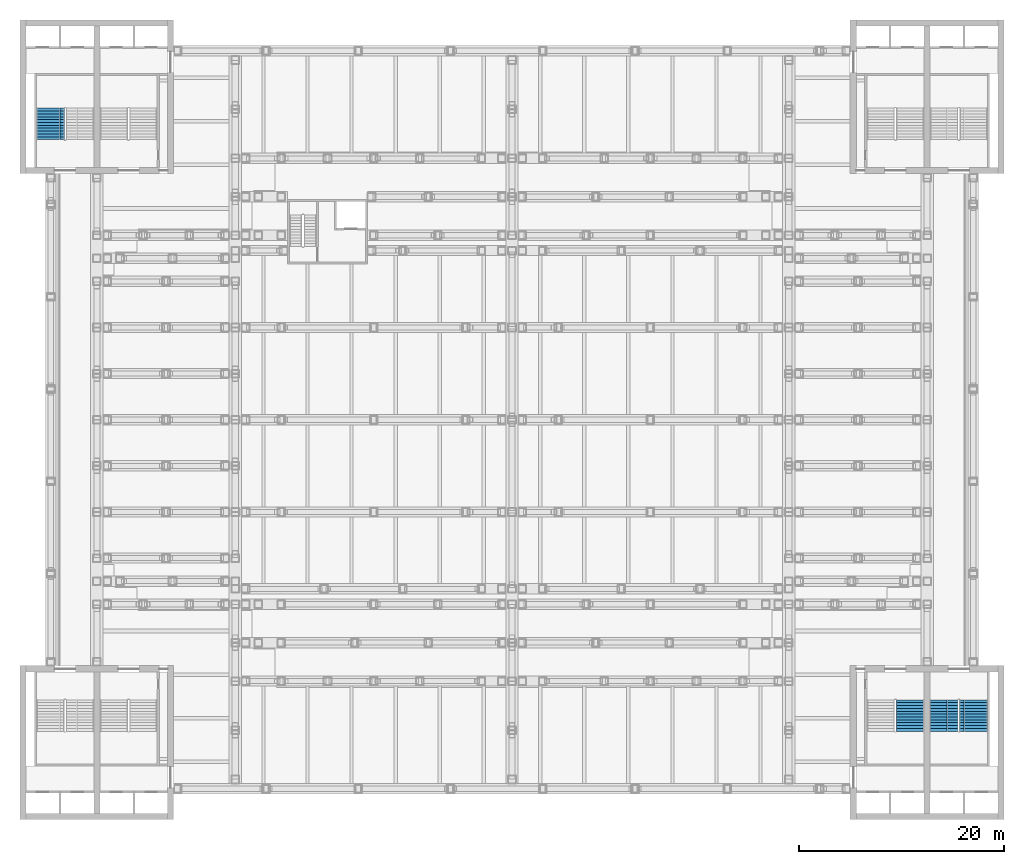
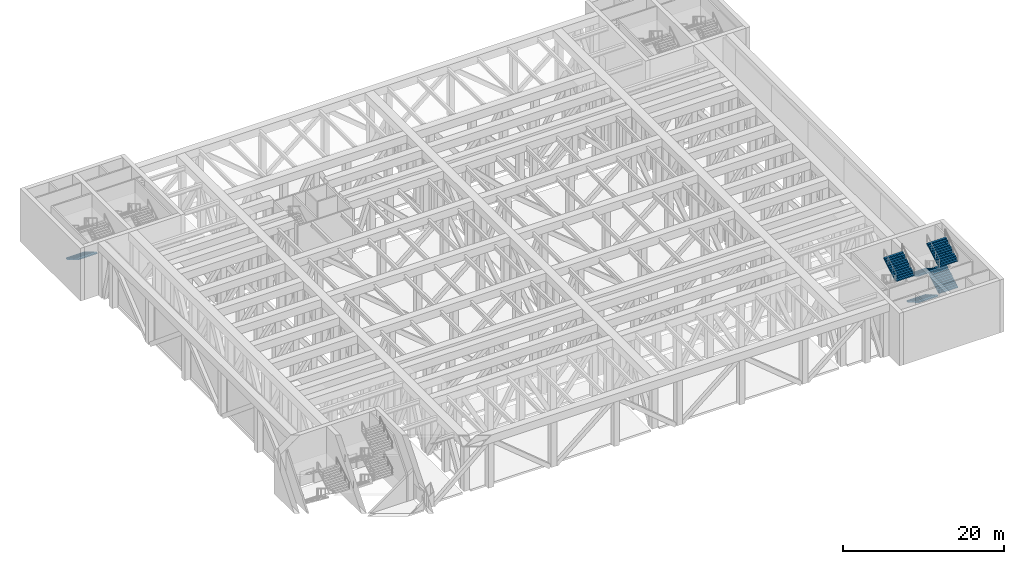
# One storey, part 14 of 20: 6 stair flights, 3 elements without a shape of their own.
"""IFC4 building model written with IfcOpenShell, lengths in metres."""

from ifc_helpers import new_model, si_unit, direction, frame, origin, place, context, subcontext, project, spatial, polyline, outline, extrude, material, type_object, element, aggregate, save


model = new_model("IFC4")

# Units and contexts
model_context = context("Model", 3, precision=1e-05, world=origin(), true_north=direction((0.0, 1.0)))
body_context = subcontext(model_context, "Body", "Model", "MODEL_VIEW")
ifc_project = project(units=[si_unit("LENGTHUNIT", "METRE"), si_unit("AREAUNIT", "SQUARE_METRE"), si_unit("VOLUMEUNIT", "CUBIC_METRE"), si_unit("PLANEANGLEUNIT", "RADIAN"), si_unit("MASSUNIT", "GRAM", prefix="KILO")], contexts=[model_context])

# Site, building, storey
site_placement = place(None, origin())
site = spatial("IfcSite", under=ifc_project, at=site_placement, CompositionType="ELEMENT")
building_placement = place(site_placement, origin())
building = spatial("IfcBuilding", under=site, at=building_placement, Name="Corbelhall Arena Tower", CompositionType="ELEMENT")
storey_placement = place(building_placement, frame((0.0, 0.0, 52.0)))
storey = spatial("IfcBuildingStorey", under=building, at=storey_placement, Name="L07", CompositionType="ELEMENT", Elevation=52.0)

# Stair, stair flight
ifc_material = material(Name="Reinforced concrete C40/50", Category="concrete")
stair_type = type_object("IfcStairType", Name="AR-EXIT-STAIR", PredefinedType="HALF_TURN_STAIR", material=ifc_material)
stair_1_placement = place(storey_placement, origin())
stair_1 = element("IfcStair", 1, at=stair_1_placement, inside=storey, type_object=stair_type, Name="L07 exit stair AS4", PredefinedType="HALF_TURN_STAIR")
stair_flight_type = type_object("IfcStairFlightType", Name="AR-EXIT-FLIGHT", PredefinedType="STRAIGHT", material=ifc_material)
stair_flight_1_placement = place(storey_placement, frame((-45.030029296875, 30.39990234375, 2.0), z_axis=(0.0, 0.0, 1.0), x_axis=(0.0, -1.0, 0.0)))
stair_flight_1 = element("IfcStairFlight", 2, at=stair_flight_1_placement, type_object=stair_flight_type, Name="AS4 flight 2", NumberOfRisers=12, NumberOfTreads=11, PredefinedType="STRAIGHT", RiserHeight=0.166666667, TreadLength=0.28, context=body_context, shape_type="SweptSolid", body=[
    extrude(outline(polyline([(0.0, 0.0), (0.0, 0.166748046875), (0.280029296875, 0.166748046875), (0.280029296875, 0.333251953125), (0.56005859375, 0.333251953125), (0.56005859375, 0.5), (0.840087890625, 0.5), (0.840087890625, 0.666748046875), (1.1201171875, 0.666748046875), (1.1201171875, 0.833251953125), (1.39990234375, 0.833251953125), (1.39990234375, 1.0), (1.679931640625, 1.0), (1.679931640625, 1.166748046875), (1.9599609375, 1.166748046875), (1.9599609375, 1.333251953125), (2.239990234375, 1.333251953125), (2.239990234375, 1.5), (2.52001953125, 1.5), (2.52001953125, 1.666748046875), (2.800048828125, 1.666748046875), (2.800048828125, 1.833251953125), (3.080078125, 1.833251953125), (3.080078125, 2.0), (3.080078125, 1.658935546875), (0.29296875, 0.0), (0.0, 0.0)])), frame((0.0, 1.35986328125, 0.0), z_axis=(0.0, -1.0, 0.0), x_axis=(1.0, 0.0, 0.0)), (0.0, 0.0, 1.0), 0.449951171875),
    extrude(outline(polyline([(0.0, 0.0), (0.0, 0.166748046875), (0.280029296875, 0.166748046875), (0.280029296875, 0.333251953125), (0.56005859375, 0.333251953125), (0.56005859375, 0.5), (0.840087890625, 0.5), (0.840087890625, 0.666748046875), (1.1201171875, 0.666748046875), (1.1201171875, 0.833251953125), (1.39990234375, 0.833251953125), (1.39990234375, 1.0), (1.679931640625, 1.0), (1.679931640625, 1.166748046875), (1.9599609375, 1.166748046875), (1.9599609375, 1.333251953125), (2.239990234375, 1.333251953125), (2.239990234375, 1.5), (2.52001953125, 1.5), (2.52001953125, 1.666748046875), (2.800048828125, 1.666748046875), (2.800048828125, 1.833251953125), (3.080078125, 1.833251953125), (3.080078125, 2.0), (3.080078125, 1.658935546875), (0.29296875, 0.0), (0.0, 0.0)])), frame((0.0, 0.906005859375, 0.0), z_axis=(0.0, -1.0, 0.0), x_axis=(1.0, 0.0, 0.0)), (0.0, 0.0, 1.0), 0.601318359375),
    extrude(outline(polyline([(0.0, 0.0), (0.0, 0.166748046875), (0.280029296875, 0.166748046875), (0.280029296875, 0.333251953125), (0.56005859375, 0.333251953125), (0.56005859375, 0.5), (0.840087890625, 0.5), (0.840087890625, 0.666748046875), (1.1201171875, 0.666748046875), (1.1201171875, 0.833251953125), (1.39990234375, 0.833251953125), (1.39990234375, 1.0), (1.679931640625, 1.0), (1.679931640625, 1.166748046875), (1.9599609375, 1.166748046875), (1.9599609375, 1.333251953125), (2.239990234375, 1.333251953125), (2.239990234375, 1.5), (2.52001953125, 1.5), (2.52001953125, 1.666748046875), (2.800048828125, 1.666748046875), (2.800048828125, 1.833251953125), (3.080078125, 1.833251953125), (3.080078125, 2.0), (3.080078125, 1.658935546875), (0.29296875, 0.0), (0.0, 0.0)])), frame((0.0, 0.30078125, 0.0), z_axis=(0.0, -1.0, 0.0), x_axis=(1.0, 0.0, 0.0)), (0.0, 0.0, 1.0), 0.601318359375),
    extrude(outline(polyline([(0.0, 0.0), (0.0, 0.166748046875), (0.280029296875, 0.166748046875), (0.280029296875, 0.333251953125), (0.56005859375, 0.333251953125), (0.56005859375, 0.5), (0.840087890625, 0.5), (0.840087890625, 0.666748046875), (1.1201171875, 0.666748046875), (1.1201171875, 0.833251953125), (1.39990234375, 0.833251953125), (1.39990234375, 1.0), (1.679931640625, 1.0), (1.679931640625, 1.166748046875), (1.9599609375, 1.166748046875), (1.9599609375, 1.333251953125), (2.239990234375, 1.333251953125), (2.239990234375, 1.5), (2.52001953125, 1.5), (2.52001953125, 1.666748046875), (2.800048828125, 1.666748046875), (2.800048828125, 1.833251953125), (3.080078125, 1.833251953125), (3.080078125, 2.0), (3.080078125, 1.658935546875), (0.29296875, 0.0), (0.0, 0.0)])), frame((0.0, -0.3046875, 0.0), z_axis=(0.0, -1.0, 0.0), x_axis=(1.0, 0.0, 0.0)), (0.0, 0.0, 1.0), 0.601318359375),
    extrude(outline(polyline([(0.0, 0.0), (0.0, 0.166748046875), (0.280029296875, 0.166748046875), (0.280029296875, 0.333251953125), (0.56005859375, 0.333251953125), (0.56005859375, 0.5), (0.840087890625, 0.5), (0.840087890625, 0.666748046875), (1.1201171875, 0.666748046875), (1.1201171875, 0.833251953125), (1.39990234375, 0.833251953125), (1.39990234375, 1.0), (1.679931640625, 1.0), (1.679931640625, 1.166748046875), (1.9599609375, 1.166748046875), (1.9599609375, 1.333251953125), (2.239990234375, 1.333251953125), (2.239990234375, 1.5), (2.52001953125, 1.5), (2.52001953125, 1.666748046875), (2.800048828125, 1.666748046875), (2.800048828125, 1.833251953125), (3.080078125, 1.833251953125), (3.080078125, 2.0), (3.080078125, 1.658935546875), (0.29296875, 0.0), (0.0, 0.0)])), frame((0.0, -0.909912109375, 0.0), z_axis=(0.0, -1.0, 0.0), x_axis=(1.0, 0.0, 0.0)), (0.0, 0.0, 1.0), 0.449951171875),
])
aggregate(stair_1, [stair_flight_1])

stair_2_placement = place(storey_placement, origin())
stair_2 = element("IfcStair", 3, at=stair_2_placement, inside=storey, type_object=stair_type, Name="L07 exit stair AS5", PredefinedType="HALF_TURN_STAIR")
stair_flight_2_placement = place(storey_placement, frame((38.840087890625, -30.39990234375, 6.0), z_axis=(0.0, 0.0, 1.0), x_axis=(0.0, 1.0, 0.0)))
stair_flight_2 = element("IfcStairFlight", 4, at=stair_flight_2_placement, type_object=stair_flight_type, Name="AS5 flight 4", NumberOfRisers=12, NumberOfTreads=11, PredefinedType="STRAIGHT", RiserHeight=0.166666667, TreadLength=0.28, context=body_context, shape_type="SweptSolid", body=[
    extrude(outline(polyline([(0.0, 0.0), (0.0, 0.166748046875), (0.280029296875, 0.166748046875), (0.280029296875, 0.333251953125), (0.56005859375, 0.333251953125), (0.56005859375, 0.5), (0.840087890625, 0.5), (0.840087890625, 0.666748046875), (1.1201171875, 0.666748046875), (1.1201171875, 0.833251953125), (1.39990234375, 0.833251953125), (1.39990234375, 1.0), (1.679931640625, 1.0), (1.679931640625, 1.166748046875), (1.9599609375, 1.166748046875), (1.9599609375, 1.333251953125), (2.239990234375, 1.333251953125), (2.239990234375, 1.5), (2.52001953125, 1.5), (2.52001953125, 1.666748046875), (2.800048828125, 1.666748046875), (2.800048828125, 1.833251953125), (3.080078125, 1.833251953125), (3.080078125, 2.0), (3.080078125, 1.658935546875), (0.29296875, 0.0), (0.0, 0.0)])), frame((0.0, 1.35986328125, 0.0), z_axis=(0.0, -1.0, 0.0), x_axis=(1.0, 0.0, 0.0)), (0.0, 0.0, 1.0), 0.449951171875),
    extrude(outline(polyline([(0.0, 0.0), (0.0, 0.166748046875), (0.280029296875, 0.166748046875), (0.280029296875, 0.333251953125), (0.56005859375, 0.333251953125), (0.56005859375, 0.5), (0.840087890625, 0.5), (0.840087890625, 0.666748046875), (1.1201171875, 0.666748046875), (1.1201171875, 0.833251953125), (1.39990234375, 0.833251953125), (1.39990234375, 1.0), (1.679931640625, 1.0), (1.679931640625, 1.166748046875), (1.9599609375, 1.166748046875), (1.9599609375, 1.333251953125), (2.239990234375, 1.333251953125), (2.239990234375, 1.5), (2.52001953125, 1.5), (2.52001953125, 1.666748046875), (2.800048828125, 1.666748046875), (2.800048828125, 1.833251953125), (3.080078125, 1.833251953125), (3.080078125, 2.0), (3.080078125, 1.658935546875), (0.29296875, 0.0), (0.0, 0.0)])), frame((0.0, 0.906005859375, 0.0), z_axis=(0.0, -1.0, 0.0), x_axis=(1.0, 0.0, 0.0)), (0.0, 0.0, 1.0), 0.601318359375),
    extrude(outline(polyline([(0.0, 0.0), (0.0, 0.166748046875), (0.280029296875, 0.166748046875), (0.280029296875, 0.333251953125), (0.56005859375, 0.333251953125), (0.56005859375, 0.5), (0.840087890625, 0.5), (0.840087890625, 0.666748046875), (1.1201171875, 0.666748046875), (1.1201171875, 0.833251953125), (1.39990234375, 0.833251953125), (1.39990234375, 1.0), (1.679931640625, 1.0), (1.679931640625, 1.166748046875), (1.9599609375, 1.166748046875), (1.9599609375, 1.333251953125), (2.239990234375, 1.333251953125), (2.239990234375, 1.5), (2.52001953125, 1.5), (2.52001953125, 1.666748046875), (2.800048828125, 1.666748046875), (2.800048828125, 1.833251953125), (3.080078125, 1.833251953125), (3.080078125, 2.0), (3.080078125, 1.658935546875), (0.29296875, 0.0), (0.0, 0.0)])), frame((0.0, 0.30078125, 0.0), z_axis=(0.0, -1.0, 0.0), x_axis=(1.0, 0.0, 0.0)), (0.0, 0.0, 1.0), 0.601318359375),
    extrude(outline(polyline([(0.0, 0.0), (0.0, 0.166748046875), (0.280029296875, 0.166748046875), (0.280029296875, 0.333251953125), (0.56005859375, 0.333251953125), (0.56005859375, 0.5), (0.840087890625, 0.5), (0.840087890625, 0.666748046875), (1.1201171875, 0.666748046875), (1.1201171875, 0.833251953125), (1.39990234375, 0.833251953125), (1.39990234375, 1.0), (1.679931640625, 1.0), (1.679931640625, 1.166748046875), (1.9599609375, 1.166748046875), (1.9599609375, 1.333251953125), (2.239990234375, 1.333251953125), (2.239990234375, 1.5), (2.52001953125, 1.5), (2.52001953125, 1.666748046875), (2.800048828125, 1.666748046875), (2.800048828125, 1.833251953125), (3.080078125, 1.833251953125), (3.080078125, 2.0), (3.080078125, 1.658935546875), (0.29296875, 0.0), (0.0, 0.0)])), frame((0.0, -0.3046875, 0.0), z_axis=(0.0, -1.0, 0.0), x_axis=(1.0, 0.0, 0.0)), (0.0, 0.0, 1.0), 0.601318359375),
    extrude(outline(polyline([(0.0, 0.0), (0.0, 0.166748046875), (0.280029296875, 0.166748046875), (0.280029296875, 0.333251953125), (0.56005859375, 0.333251953125), (0.56005859375, 0.5), (0.840087890625, 0.5), (0.840087890625, 0.666748046875), (1.1201171875, 0.666748046875), (1.1201171875, 0.833251953125), (1.39990234375, 0.833251953125), (1.39990234375, 1.0), (1.679931640625, 1.0), (1.679931640625, 1.166748046875), (1.9599609375, 1.166748046875), (1.9599609375, 1.333251953125), (2.239990234375, 1.333251953125), (2.239990234375, 1.5), (2.52001953125, 1.5), (2.52001953125, 1.666748046875), (2.800048828125, 1.666748046875), (2.800048828125, 1.833251953125), (3.080078125, 1.833251953125), (3.080078125, 2.0), (3.080078125, 1.658935546875), (0.29296875, 0.0), (0.0, 0.0)])), frame((0.0, -0.909912109375, 0.0), z_axis=(0.0, -1.0, 0.0), x_axis=(1.0, 0.0, 0.0)), (0.0, 0.0, 1.0), 0.449951171875),
])
aggregate(stair_2, [stair_flight_2])

# Stair, stair flights
stair_3_placement = place(storey_placement, origin())
stair_3 = element("IfcStair", 5, at=stair_3_placement, inside=storey, type_object=stair_type, Name="L07 exit stair AS6", PredefinedType="HALF_TURN_STAIR")
stair_flight_3_placement = place(storey_placement, frame((42.159912109375, -27.320068359375, 0.0), z_axis=(0.0, 0.0, 1.0), x_axis=(0.0, -1.0, 0.0)))
stair_flight_3 = element("IfcStairFlight", 6, at=stair_flight_3_placement, type_object=stair_flight_type, Name="AS6 flight 1", NumberOfRisers=12, NumberOfTreads=11, PredefinedType="STRAIGHT", RiserHeight=0.166666667, TreadLength=0.28, context=body_context, shape_type="SweptSolid", body=[
    extrude(outline(polyline([(0.0, 0.0), (0.0, 0.166748046875), (0.280029296875, 0.166748046875), (0.280029296875, 0.333251953125), (0.56005859375, 0.333251953125), (0.56005859375, 0.5), (0.840087890625, 0.5), (0.840087890625, 0.666748046875), (1.1201171875, 0.666748046875), (1.1201171875, 0.833251953125), (1.39990234375, 0.833251953125), (1.39990234375, 1.0), (1.679931640625, 1.0), (1.679931640625, 1.166748046875), (1.9599609375, 1.166748046875), (1.9599609375, 1.333251953125), (2.239990234375, 1.333251953125), (2.239990234375, 1.5), (2.52001953125, 1.5), (2.52001953125, 1.666748046875), (2.800048828125, 1.666748046875), (2.800048828125, 1.833251953125), (3.080078125, 1.833251953125), (3.080078125, 2.0), (3.080078125, 1.658935546875), (0.29296875, 0.0), (0.0, 0.0)])), frame((0.0, 1.35986328125, 0.0), z_axis=(0.0, -1.0, 0.0), x_axis=(1.0, 0.0, 0.0)), (0.0, 0.0, 1.0), 0.449951171875),
    extrude(outline(polyline([(0.0, 0.0), (0.0, 0.166748046875), (0.280029296875, 0.166748046875), (0.280029296875, 0.333251953125), (0.56005859375, 0.333251953125), (0.56005859375, 0.5), (0.840087890625, 0.5), (0.840087890625, 0.666748046875), (1.1201171875, 0.666748046875), (1.1201171875, 0.833251953125), (1.39990234375, 0.833251953125), (1.39990234375, 1.0), (1.679931640625, 1.0), (1.679931640625, 1.166748046875), (1.9599609375, 1.166748046875), (1.9599609375, 1.333251953125), (2.239990234375, 1.333251953125), (2.239990234375, 1.5), (2.52001953125, 1.5), (2.52001953125, 1.666748046875), (2.800048828125, 1.666748046875), (2.800048828125, 1.833251953125), (3.080078125, 1.833251953125), (3.080078125, 2.0), (3.080078125, 1.658935546875), (0.29296875, 0.0), (0.0, 0.0)])), frame((0.0, 0.906005859375, 0.0), z_axis=(0.0, -1.0, 0.0), x_axis=(1.0, 0.0, 0.0)), (0.0, 0.0, 1.0), 0.601318359375),
    extrude(outline(polyline([(0.0, 0.0), (0.0, 0.166748046875), (0.280029296875, 0.166748046875), (0.280029296875, 0.333251953125), (0.56005859375, 0.333251953125), (0.56005859375, 0.5), (0.840087890625, 0.5), (0.840087890625, 0.666748046875), (1.1201171875, 0.666748046875), (1.1201171875, 0.833251953125), (1.39990234375, 0.833251953125), (1.39990234375, 1.0), (1.679931640625, 1.0), (1.679931640625, 1.166748046875), (1.9599609375, 1.166748046875), (1.9599609375, 1.333251953125), (2.239990234375, 1.333251953125), (2.239990234375, 1.5), (2.52001953125, 1.5), (2.52001953125, 1.666748046875), (2.800048828125, 1.666748046875), (2.800048828125, 1.833251953125), (3.080078125, 1.833251953125), (3.080078125, 2.0), (3.080078125, 1.658935546875), (0.29296875, 0.0), (0.0, 0.0)])), frame((0.0, 0.30078125, 0.0), z_axis=(0.0, -1.0, 0.0), x_axis=(1.0, 0.0, 0.0)), (0.0, 0.0, 1.0), 0.601318359375),
    extrude(outline(polyline([(0.0, 0.0), (0.0, 0.166748046875), (0.280029296875, 0.166748046875), (0.280029296875, 0.333251953125), (0.56005859375, 0.333251953125), (0.56005859375, 0.5), (0.840087890625, 0.5), (0.840087890625, 0.666748046875), (1.1201171875, 0.666748046875), (1.1201171875, 0.833251953125), (1.39990234375, 0.833251953125), (1.39990234375, 1.0), (1.679931640625, 1.0), (1.679931640625, 1.166748046875), (1.9599609375, 1.166748046875), (1.9599609375, 1.333251953125), (2.239990234375, 1.333251953125), (2.239990234375, 1.5), (2.52001953125, 1.5), (2.52001953125, 1.666748046875), (2.800048828125, 1.666748046875), (2.800048828125, 1.833251953125), (3.080078125, 1.833251953125), (3.080078125, 2.0), (3.080078125, 1.658935546875), (0.29296875, 0.0), (0.0, 0.0)])), frame((0.0, -0.3046875, 0.0), z_axis=(0.0, -1.0, 0.0), x_axis=(1.0, 0.0, 0.0)), (0.0, 0.0, 1.0), 0.601318359375),
    extrude(outline(polyline([(0.0, 0.0), (0.0, 0.166748046875), (0.280029296875, 0.166748046875), (0.280029296875, 0.333251953125), (0.56005859375, 0.333251953125), (0.56005859375, 0.5), (0.840087890625, 0.5), (0.840087890625, 0.666748046875), (1.1201171875, 0.666748046875), (1.1201171875, 0.833251953125), (1.39990234375, 0.833251953125), (1.39990234375, 1.0), (1.679931640625, 1.0), (1.679931640625, 1.166748046875), (1.9599609375, 1.166748046875), (1.9599609375, 1.333251953125), (2.239990234375, 1.333251953125), (2.239990234375, 1.5), (2.52001953125, 1.5), (2.52001953125, 1.666748046875), (2.800048828125, 1.666748046875), (2.800048828125, 1.833251953125), (3.080078125, 1.833251953125), (3.080078125, 2.0), (3.080078125, 1.658935546875), (0.29296875, 0.0), (0.0, 0.0)])), frame((0.0, -0.909912109375, 0.0), z_axis=(0.0, -1.0, 0.0), x_axis=(1.0, 0.0, 0.0)), (0.0, 0.0, 1.0), 0.449951171875),
])
stair_flight_4_placement = place(storey_placement, frame((45.030029296875, -30.39990234375, 2.0), z_axis=(0.0, 0.0, 1.0), x_axis=(0.0, 1.0, 0.0)))
stair_flight_4 = element("IfcStairFlight", 7, at=stair_flight_4_placement, type_object=stair_flight_type, Name="AS6 flight 2", NumberOfRisers=12, NumberOfTreads=11, PredefinedType="STRAIGHT", RiserHeight=0.166666667, TreadLength=0.28, context=body_context, shape_type="SweptSolid", body=[
    extrude(outline(polyline([(0.0, 0.0), (0.0, 0.166748046875), (0.280029296875, 0.166748046875), (0.280029296875, 0.333251953125), (0.56005859375, 0.333251953125), (0.56005859375, 0.5), (0.840087890625, 0.5), (0.840087890625, 0.666748046875), (1.1201171875, 0.666748046875), (1.1201171875, 0.833251953125), (1.39990234375, 0.833251953125), (1.39990234375, 1.0), (1.679931640625, 1.0), (1.679931640625, 1.166748046875), (1.9599609375, 1.166748046875), (1.9599609375, 1.333251953125), (2.239990234375, 1.333251953125), (2.239990234375, 1.5), (2.52001953125, 1.5), (2.52001953125, 1.666748046875), (2.800048828125, 1.666748046875), (2.800048828125, 1.833251953125), (3.080078125, 1.833251953125), (3.080078125, 2.0), (3.080078125, 1.658935546875), (0.29296875, 0.0), (0.0, 0.0)])), frame((0.0, 1.35986328125, 0.0), z_axis=(0.0, -1.0, 0.0), x_axis=(1.0, 0.0, 0.0)), (0.0, 0.0, 1.0), 0.449951171875),
    extrude(outline(polyline([(0.0, 0.0), (0.0, 0.166748046875), (0.280029296875, 0.166748046875), (0.280029296875, 0.333251953125), (0.56005859375, 0.333251953125), (0.56005859375, 0.5), (0.840087890625, 0.5), (0.840087890625, 0.666748046875), (1.1201171875, 0.666748046875), (1.1201171875, 0.833251953125), (1.39990234375, 0.833251953125), (1.39990234375, 1.0), (1.679931640625, 1.0), (1.679931640625, 1.166748046875), (1.9599609375, 1.166748046875), (1.9599609375, 1.333251953125), (2.239990234375, 1.333251953125), (2.239990234375, 1.5), (2.52001953125, 1.5), (2.52001953125, 1.666748046875), (2.800048828125, 1.666748046875), (2.800048828125, 1.833251953125), (3.080078125, 1.833251953125), (3.080078125, 2.0), (3.080078125, 1.658935546875), (0.29296875, 0.0), (0.0, 0.0)])), frame((0.0, 0.906005859375, 0.0), z_axis=(0.0, -1.0, 0.0), x_axis=(1.0, 0.0, 0.0)), (0.0, 0.0, 1.0), 0.601318359375),
    extrude(outline(polyline([(0.0, 0.0), (0.0, 0.166748046875), (0.280029296875, 0.166748046875), (0.280029296875, 0.333251953125), (0.56005859375, 0.333251953125), (0.56005859375, 0.5), (0.840087890625, 0.5), (0.840087890625, 0.666748046875), (1.1201171875, 0.666748046875), (1.1201171875, 0.833251953125), (1.39990234375, 0.833251953125), (1.39990234375, 1.0), (1.679931640625, 1.0), (1.679931640625, 1.166748046875), (1.9599609375, 1.166748046875), (1.9599609375, 1.333251953125), (2.239990234375, 1.333251953125), (2.239990234375, 1.5), (2.52001953125, 1.5), (2.52001953125, 1.666748046875), (2.800048828125, 1.666748046875), (2.800048828125, 1.833251953125), (3.080078125, 1.833251953125), (3.080078125, 2.0), (3.080078125, 1.658935546875), (0.29296875, 0.0), (0.0, 0.0)])), frame((0.0, 0.30078125, 0.0), z_axis=(0.0, -1.0, 0.0), x_axis=(1.0, 0.0, 0.0)), (0.0, 0.0, 1.0), 0.601318359375),
    extrude(outline(polyline([(0.0, 0.0), (0.0, 0.166748046875), (0.280029296875, 0.166748046875), (0.280029296875, 0.333251953125), (0.56005859375, 0.333251953125), (0.56005859375, 0.5), (0.840087890625, 0.5), (0.840087890625, 0.666748046875), (1.1201171875, 0.666748046875), (1.1201171875, 0.833251953125), (1.39990234375, 0.833251953125), (1.39990234375, 1.0), (1.679931640625, 1.0), (1.679931640625, 1.166748046875), (1.9599609375, 1.166748046875), (1.9599609375, 1.333251953125), (2.239990234375, 1.333251953125), (2.239990234375, 1.5), (2.52001953125, 1.5), (2.52001953125, 1.666748046875), (2.800048828125, 1.666748046875), (2.800048828125, 1.833251953125), (3.080078125, 1.833251953125), (3.080078125, 2.0), (3.080078125, 1.658935546875), (0.29296875, 0.0), (0.0, 0.0)])), frame((0.0, -0.3046875, 0.0), z_axis=(0.0, -1.0, 0.0), x_axis=(1.0, 0.0, 0.0)), (0.0, 0.0, 1.0), 0.601318359375),
    extrude(outline(polyline([(0.0, 0.0), (0.0, 0.166748046875), (0.280029296875, 0.166748046875), (0.280029296875, 0.333251953125), (0.56005859375, 0.333251953125), (0.56005859375, 0.5), (0.840087890625, 0.5), (0.840087890625, 0.666748046875), (1.1201171875, 0.666748046875), (1.1201171875, 0.833251953125), (1.39990234375, 0.833251953125), (1.39990234375, 1.0), (1.679931640625, 1.0), (1.679931640625, 1.166748046875), (1.9599609375, 1.166748046875), (1.9599609375, 1.333251953125), (2.239990234375, 1.333251953125), (2.239990234375, 1.5), (2.52001953125, 1.5), (2.52001953125, 1.666748046875), (2.800048828125, 1.666748046875), (2.800048828125, 1.833251953125), (3.080078125, 1.833251953125), (3.080078125, 2.0), (3.080078125, 1.658935546875), (0.29296875, 0.0), (0.0, 0.0)])), frame((0.0, -0.909912109375, 0.0), z_axis=(0.0, -1.0, 0.0), x_axis=(1.0, 0.0, 0.0)), (0.0, 0.0, 1.0), 0.449951171875),
])
stair_flight_5_placement = place(storey_placement, frame((42.159912109375, -27.320068359375, 4.0), z_axis=(0.0, 0.0, 1.0), x_axis=(0.0, -1.0, 0.0)))
stair_flight_5 = element("IfcStairFlight", 8, at=stair_flight_5_placement, type_object=stair_flight_type, Name="AS6 flight 3", NumberOfRisers=12, NumberOfTreads=11, PredefinedType="STRAIGHT", RiserHeight=0.166666667, TreadLength=0.28, context=body_context, shape_type="SweptSolid", body=[
    extrude(outline(polyline([(0.0, 0.0), (0.0, 0.166748046875), (0.280029296875, 0.166748046875), (0.280029296875, 0.333251953125), (0.56005859375, 0.333251953125), (0.56005859375, 0.5), (0.840087890625, 0.5), (0.840087890625, 0.666748046875), (1.1201171875, 0.666748046875), (1.1201171875, 0.833251953125), (1.39990234375, 0.833251953125), (1.39990234375, 1.0), (1.679931640625, 1.0), (1.679931640625, 1.166748046875), (1.9599609375, 1.166748046875), (1.9599609375, 1.333251953125), (2.239990234375, 1.333251953125), (2.239990234375, 1.5), (2.52001953125, 1.5), (2.52001953125, 1.666748046875), (2.800048828125, 1.666748046875), (2.800048828125, 1.833251953125), (3.080078125, 1.833251953125), (3.080078125, 2.0), (3.080078125, 1.658935546875), (0.29296875, 0.0), (0.0, 0.0)])), frame((0.0, 1.35986328125, 0.0), z_axis=(0.0, -1.0, 0.0), x_axis=(1.0, 0.0, 0.0)), (0.0, 0.0, 1.0), 0.449951171875),
    extrude(outline(polyline([(0.0, 0.0), (0.0, 0.166748046875), (0.280029296875, 0.166748046875), (0.280029296875, 0.333251953125), (0.56005859375, 0.333251953125), (0.56005859375, 0.5), (0.840087890625, 0.5), (0.840087890625, 0.666748046875), (1.1201171875, 0.666748046875), (1.1201171875, 0.833251953125), (1.39990234375, 0.833251953125), (1.39990234375, 1.0), (1.679931640625, 1.0), (1.679931640625, 1.166748046875), (1.9599609375, 1.166748046875), (1.9599609375, 1.333251953125), (2.239990234375, 1.333251953125), (2.239990234375, 1.5), (2.52001953125, 1.5), (2.52001953125, 1.666748046875), (2.800048828125, 1.666748046875), (2.800048828125, 1.833251953125), (3.080078125, 1.833251953125), (3.080078125, 2.0), (3.080078125, 1.658935546875), (0.29296875, 0.0), (0.0, 0.0)])), frame((0.0, 0.906005859375, 0.0), z_axis=(0.0, -1.0, 0.0), x_axis=(1.0, 0.0, 0.0)), (0.0, 0.0, 1.0), 0.601318359375),
    extrude(outline(polyline([(0.0, 0.0), (0.0, 0.166748046875), (0.280029296875, 0.166748046875), (0.280029296875, 0.333251953125), (0.56005859375, 0.333251953125), (0.56005859375, 0.5), (0.840087890625, 0.5), (0.840087890625, 0.666748046875), (1.1201171875, 0.666748046875), (1.1201171875, 0.833251953125), (1.39990234375, 0.833251953125), (1.39990234375, 1.0), (1.679931640625, 1.0), (1.679931640625, 1.166748046875), (1.9599609375, 1.166748046875), (1.9599609375, 1.333251953125), (2.239990234375, 1.333251953125), (2.239990234375, 1.5), (2.52001953125, 1.5), (2.52001953125, 1.666748046875), (2.800048828125, 1.666748046875), (2.800048828125, 1.833251953125), (3.080078125, 1.833251953125), (3.080078125, 2.0), (3.080078125, 1.658935546875), (0.29296875, 0.0), (0.0, 0.0)])), frame((0.0, 0.30078125, 0.0), z_axis=(0.0, -1.0, 0.0), x_axis=(1.0, 0.0, 0.0)), (0.0, 0.0, 1.0), 0.601318359375),
    extrude(outline(polyline([(0.0, 0.0), (0.0, 0.166748046875), (0.280029296875, 0.166748046875), (0.280029296875, 0.333251953125), (0.56005859375, 0.333251953125), (0.56005859375, 0.5), (0.840087890625, 0.5), (0.840087890625, 0.666748046875), (1.1201171875, 0.666748046875), (1.1201171875, 0.833251953125), (1.39990234375, 0.833251953125), (1.39990234375, 1.0), (1.679931640625, 1.0), (1.679931640625, 1.166748046875), (1.9599609375, 1.166748046875), (1.9599609375, 1.333251953125), (2.239990234375, 1.333251953125), (2.239990234375, 1.5), (2.52001953125, 1.5), (2.52001953125, 1.666748046875), (2.800048828125, 1.666748046875), (2.800048828125, 1.833251953125), (3.080078125, 1.833251953125), (3.080078125, 2.0), (3.080078125, 1.658935546875), (0.29296875, 0.0), (0.0, 0.0)])), frame((0.0, -0.3046875, 0.0), z_axis=(0.0, -1.0, 0.0), x_axis=(1.0, 0.0, 0.0)), (0.0, 0.0, 1.0), 0.601318359375),
    extrude(outline(polyline([(0.0, 0.0), (0.0, 0.166748046875), (0.280029296875, 0.166748046875), (0.280029296875, 0.333251953125), (0.56005859375, 0.333251953125), (0.56005859375, 0.5), (0.840087890625, 0.5), (0.840087890625, 0.666748046875), (1.1201171875, 0.666748046875), (1.1201171875, 0.833251953125), (1.39990234375, 0.833251953125), (1.39990234375, 1.0), (1.679931640625, 1.0), (1.679931640625, 1.166748046875), (1.9599609375, 1.166748046875), (1.9599609375, 1.333251953125), (2.239990234375, 1.333251953125), (2.239990234375, 1.5), (2.52001953125, 1.5), (2.52001953125, 1.666748046875), (2.800048828125, 1.666748046875), (2.800048828125, 1.833251953125), (3.080078125, 1.833251953125), (3.080078125, 2.0), (3.080078125, 1.658935546875), (0.29296875, 0.0), (0.0, 0.0)])), frame((0.0, -0.909912109375, 0.0), z_axis=(0.0, -1.0, 0.0), x_axis=(1.0, 0.0, 0.0)), (0.0, 0.0, 1.0), 0.449951171875),
])
stair_flight_6_placement = place(storey_placement, frame((45.030029296875, -30.39990234375, 6.0), z_axis=(0.0, 0.0, 1.0), x_axis=(0.0, 1.0, 0.0)))
stair_flight_6 = element("IfcStairFlight", 9, at=stair_flight_6_placement, type_object=stair_flight_type, Name="AS6 flight 4", NumberOfRisers=12, NumberOfTreads=11, PredefinedType="STRAIGHT", RiserHeight=0.166666667, TreadLength=0.28, context=body_context, shape_type="SweptSolid", body=[
    extrude(outline(polyline([(0.0, 0.0), (0.0, 0.166748046875), (0.280029296875, 0.166748046875), (0.280029296875, 0.333251953125), (0.56005859375, 0.333251953125), (0.56005859375, 0.5), (0.840087890625, 0.5), (0.840087890625, 0.666748046875), (1.1201171875, 0.666748046875), (1.1201171875, 0.833251953125), (1.39990234375, 0.833251953125), (1.39990234375, 1.0), (1.679931640625, 1.0), (1.679931640625, 1.166748046875), (1.9599609375, 1.166748046875), (1.9599609375, 1.333251953125), (2.239990234375, 1.333251953125), (2.239990234375, 1.5), (2.52001953125, 1.5), (2.52001953125, 1.666748046875), (2.800048828125, 1.666748046875), (2.800048828125, 1.833251953125), (3.080078125, 1.833251953125), (3.080078125, 2.0), (3.080078125, 1.658935546875), (0.29296875, 0.0), (0.0, 0.0)])), frame((0.0, 1.35986328125, 0.0), z_axis=(0.0, -1.0, 0.0), x_axis=(1.0, 0.0, 0.0)), (0.0, 0.0, 1.0), 0.449951171875),
    extrude(outline(polyline([(0.0, 0.0), (0.0, 0.166748046875), (0.280029296875, 0.166748046875), (0.280029296875, 0.333251953125), (0.56005859375, 0.333251953125), (0.56005859375, 0.5), (0.840087890625, 0.5), (0.840087890625, 0.666748046875), (1.1201171875, 0.666748046875), (1.1201171875, 0.833251953125), (1.39990234375, 0.833251953125), (1.39990234375, 1.0), (1.679931640625, 1.0), (1.679931640625, 1.166748046875), (1.9599609375, 1.166748046875), (1.9599609375, 1.333251953125), (2.239990234375, 1.333251953125), (2.239990234375, 1.5), (2.52001953125, 1.5), (2.52001953125, 1.666748046875), (2.800048828125, 1.666748046875), (2.800048828125, 1.833251953125), (3.080078125, 1.833251953125), (3.080078125, 2.0), (3.080078125, 1.658935546875), (0.29296875, 0.0), (0.0, 0.0)])), frame((0.0, 0.906005859375, 0.0), z_axis=(0.0, -1.0, 0.0), x_axis=(1.0, 0.0, 0.0)), (0.0, 0.0, 1.0), 0.601318359375),
    extrude(outline(polyline([(0.0, 0.0), (0.0, 0.166748046875), (0.280029296875, 0.166748046875), (0.280029296875, 0.333251953125), (0.56005859375, 0.333251953125), (0.56005859375, 0.5), (0.840087890625, 0.5), (0.840087890625, 0.666748046875), (1.1201171875, 0.666748046875), (1.1201171875, 0.833251953125), (1.39990234375, 0.833251953125), (1.39990234375, 1.0), (1.679931640625, 1.0), (1.679931640625, 1.166748046875), (1.9599609375, 1.166748046875), (1.9599609375, 1.333251953125), (2.239990234375, 1.333251953125), (2.239990234375, 1.5), (2.52001953125, 1.5), (2.52001953125, 1.666748046875), (2.800048828125, 1.666748046875), (2.800048828125, 1.833251953125), (3.080078125, 1.833251953125), (3.080078125, 2.0), (3.080078125, 1.658935546875), (0.29296875, 0.0), (0.0, 0.0)])), frame((0.0, 0.30078125, 0.0), z_axis=(0.0, -1.0, 0.0), x_axis=(1.0, 0.0, 0.0)), (0.0, 0.0, 1.0), 0.601318359375),
    extrude(outline(polyline([(0.0, 0.0), (0.0, 0.166748046875), (0.280029296875, 0.166748046875), (0.280029296875, 0.333251953125), (0.56005859375, 0.333251953125), (0.56005859375, 0.5), (0.840087890625, 0.5), (0.840087890625, 0.666748046875), (1.1201171875, 0.666748046875), (1.1201171875, 0.833251953125), (1.39990234375, 0.833251953125), (1.39990234375, 1.0), (1.679931640625, 1.0), (1.679931640625, 1.166748046875), (1.9599609375, 1.166748046875), (1.9599609375, 1.333251953125), (2.239990234375, 1.333251953125), (2.239990234375, 1.5), (2.52001953125, 1.5), (2.52001953125, 1.666748046875), (2.800048828125, 1.666748046875), (2.800048828125, 1.833251953125), (3.080078125, 1.833251953125), (3.080078125, 2.0), (3.080078125, 1.658935546875), (0.29296875, 0.0), (0.0, 0.0)])), frame((0.0, -0.3046875, 0.0), z_axis=(0.0, -1.0, 0.0), x_axis=(1.0, 0.0, 0.0)), (0.0, 0.0, 1.0), 0.601318359375),
    extrude(outline(polyline([(0.0, 0.0), (0.0, 0.166748046875), (0.280029296875, 0.166748046875), (0.280029296875, 0.333251953125), (0.56005859375, 0.333251953125), (0.56005859375, 0.5), (0.840087890625, 0.5), (0.840087890625, 0.666748046875), (1.1201171875, 0.666748046875), (1.1201171875, 0.833251953125), (1.39990234375, 0.833251953125), (1.39990234375, 1.0), (1.679931640625, 1.0), (1.679931640625, 1.166748046875), (1.9599609375, 1.166748046875), (1.9599609375, 1.333251953125), (2.239990234375, 1.333251953125), (2.239990234375, 1.5), (2.52001953125, 1.5), (2.52001953125, 1.666748046875), (2.800048828125, 1.666748046875), (2.800048828125, 1.833251953125), (3.080078125, 1.833251953125), (3.080078125, 2.0), (3.080078125, 1.658935546875), (0.29296875, 0.0), (0.0, 0.0)])), frame((0.0, -0.909912109375, 0.0), z_axis=(0.0, -1.0, 0.0), x_axis=(1.0, 0.0, 0.0)), (0.0, 0.0, 1.0), 0.449951171875),
])
aggregate(stair_3, [stair_flight_3, stair_flight_4, stair_flight_5, stair_flight_6])

save(model, "model.ifc")
